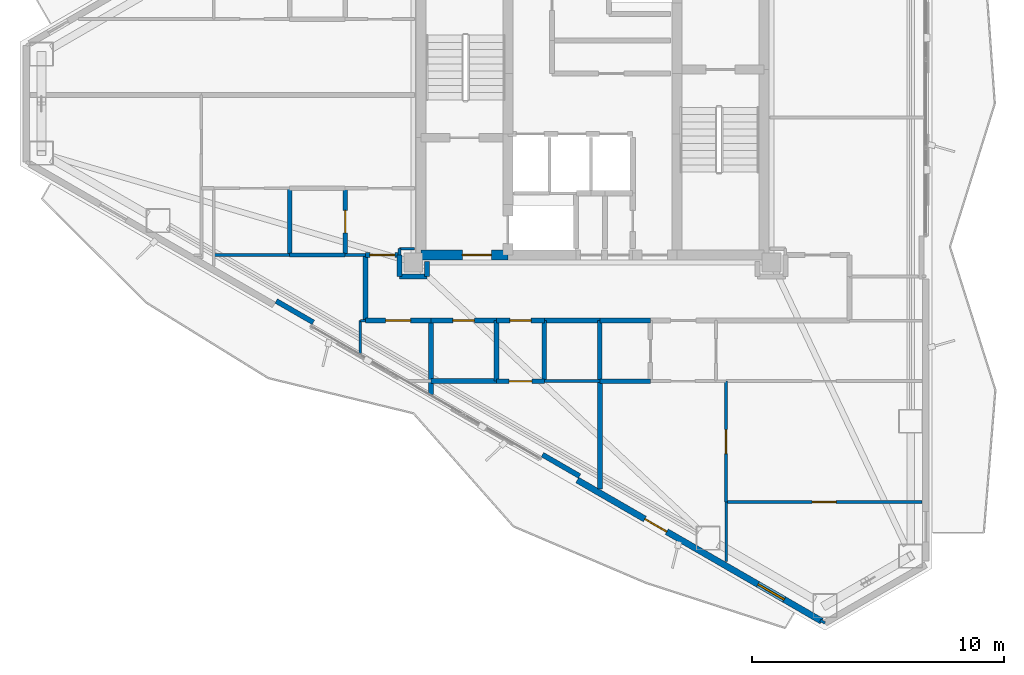
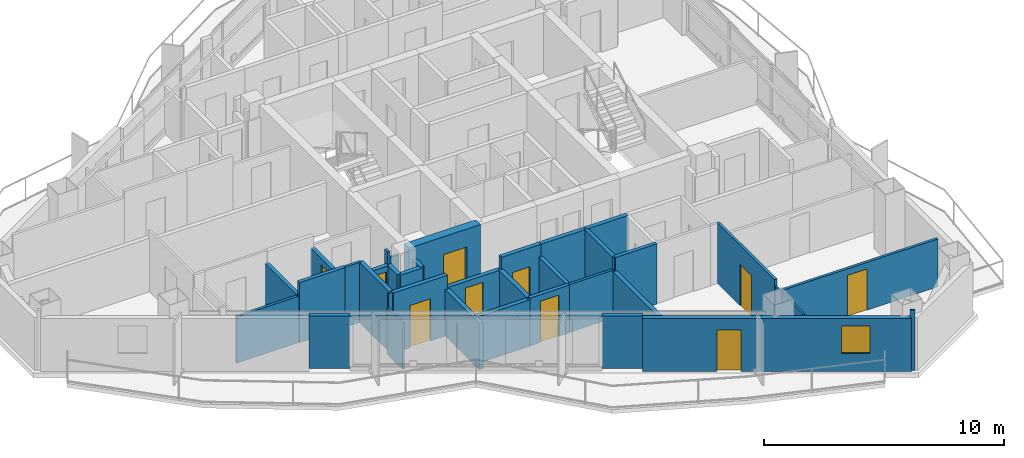
# One storey, part 12 of 19: 36 walls, 10 doors, 1 window, 11 openings.
"""IFC4 building model written with IfcOpenShell, lengths in metres."""

from ifc_helpers import new_model, si_unit, direction, frame, frame_2d, origin, place, context, subcontext, project, spatial, rectangle, extrude, material, layer, layer_set, type_object, element, fill, save


model = new_model("IFC4")

# Units and contexts
model_context = context("Model", 3, precision=1e-05, world=origin(), true_north=direction((0.0, 1.0)))
body_context = subcontext(model_context, "Body", "Model", "MODEL_VIEW")
ifc_project = project(units=[si_unit("LENGTHUNIT", "METRE"), si_unit("AREAUNIT", "SQUARE_METRE"), si_unit("VOLUMEUNIT", "CUBIC_METRE"), si_unit("PLANEANGLEUNIT", "RADIAN"), si_unit("MASSUNIT", "GRAM", prefix="KILO")], contexts=[model_context])

# Site, building, storey
site_placement = place(None, origin())
site = spatial("IfcSite", under=ifc_project, at=site_placement, CompositionType="ELEMENT")
building_placement = place(site_placement, origin())
building = spatial("IfcBuilding", under=site, at=building_placement, Name="Mersakhor Tower and Convention Hall", CompositionType="ELEMENT")
storey_placement = place(building_placement, frame((0.0, 0.0, 144.300048828125)))
storey = spatial("IfcBuildingStorey", under=building, at=storey_placement, Name="L40", CompositionType="ELEMENT", Elevation=144.300048828125)

# Wall, openings, door, window
ifc_material_1 = material(Name="Precast concrete C40/50", Category="concrete")
ifc_layer_1 = layer(ifc_material_1, 0.25)
ifc_layer_set_1 = layer_set([ifc_layer_1], Name="Precast concrete C40/50")
wall_type_1 = type_object("IfcWallType", Name="WL-EXT-250", PredefinedType="SOLIDWALL", material=ifc_layer_set_1)
wall_1_placement = place(storey_placement, frame((38.090576171875, 6.2373046875, 0.0), z_axis=(0.0, 0.0, 1.0), x_axis=(-0.86602239209, 0.500005216371, 0.0)))
wall_1 = element("IfcWall", 1, at=wall_1_placement, inside=storey, type_object=wall_type_1, Name="L40 Exterior Facade Wall F3-B1", PredefinedType="SOLIDWALL", context=body_context, shape_type="SweptSolid", body=[
    extrude(rectangle(XDim=11.18603515625, YDim=0.25, at=frame_2d((5.593017578125, 0.0))), origin(), (0.0, 0.0, 1.0), 2.679931640625),
])
opening_1_placement = place(wall_1_placement, frame((7.094970703125, 0.0, 0.0)))
opening_1 = element("IfcOpeningElement", 2, at=opening_1_placement, cuts=wall_1, Name="Opening BD-01", PredefinedType="OPENING", context=body_context, shape_type="SweptSolid", body=[
    extrude(rectangle(XDim=1.0, YDim=2.10009765625, at=frame_2d((0.5, 1.050048828125))), frame((0.0, 0.135009765625, 0.0), z_axis=(0.0, -1.0, 0.0), x_axis=(1.0, 0.0, 0.0)), (0.0, 0.0, 1.0), 0.27001953125),
])
opening_2_placement = place(wall_1_placement, frame((1.718017578125, 0.0, 0.89990234375)))
opening_2 = element("IfcOpeningElement", 3, at=opening_2_placement, cuts=wall_1, Name="Opening W-01", PredefinedType="OPENING", context=body_context, shape_type="SweptSolid", body=[
    extrude(rectangle(XDim=1.199951171875, YDim=1.39990234375, at=frame_2d((0.60009765625, 0.699951171875))), frame((0.0, 0.135009765625, 0.0), z_axis=(0.0, -1.0, 0.0), x_axis=(1.0, 0.0, 0.0)), (0.0, 0.0, 1.0), 0.27001953125),
])
ifc_material_2 = material(Name="Thermally broken dark aluminium and safety glass", Category="aluminium")
door_type_1 = type_object("IfcDoorType", Name="DR-BAL-100x210", OperationType="NOTDEFINED", PredefinedType="DOOR", material=ifc_material_2)
door_1_placement = place(opening_1_placement, origin())
door_1 = element("IfcDoor", 4, at=door_1_placement, inside=storey, type_object=door_type_1, Name="L40 Balcony Terrace Door F3-B1", OperationType="SINGLE_SWING_LEFT", OverallHeight=2.10009765625, OverallWidth=1.0, PredefinedType="DOOR", context=body_context, shape_type="SweptSolid", body=[
    extrude(rectangle(XDim=1.0, YDim=2.10009765625, at=frame_2d((0.5, 1.050048828125))), frame((0.0, 0.02490234375, 0.0), z_axis=(0.0, -1.0, 0.0), x_axis=(1.0, 0.0, 0.0)), (0.0, 0.0, 1.0), 0.050048828125),
])
fill(opening_1, door_1)
ifc_material_3 = material(Name="Dark solar low-E glazed aluminium window", Category="aluminium")
window_type = type_object("IfcWindowType", Name="WN-RES-120x150", PartitioningType="SINGLE_PANEL", PredefinedType="WINDOW", material=ifc_material_3)
window_placement = place(opening_2_placement, origin())
window = element("IfcWindow", 5, at=window_placement, inside=storey, type_object=window_type, Name="L40 Bedroom Facade Window F3-B1-1", OverallHeight=1.39990234375, OverallWidth=1.199951171875, PartitioningType="SINGLE_PANEL", PredefinedType="WINDOW", context=body_context, shape_type="SweptSolid", body=[
    extrude(rectangle(XDim=1.199951171875, YDim=1.39990234375, at=frame_2d((0.60009765625, 0.699951171875))), frame((0.0, 0.030029296875, 0.0), z_axis=(0.0, -1.0, 0.0), x_axis=(1.0, 0.0, 0.0)), (0.0, 0.0, 1.0), 0.06005859375),
])
fill(opening_2, window)

# Walls
ifc_material_4 = material(Name="Precast concrete C40/50", Category="concrete")
ifc_layer_2 = layer(ifc_material_4, 0.199951171875)
ifc_layer_set_2 = layer_set([ifc_layer_2], Name="Precast concrete C40/50")
wall_type_2 = type_object("IfcWallType", Name="WL-PAR-200", PredefinedType="PARAPET", material=ifc_layer_set_2)
for number, where, z_axis, x_axis, name in (
    (6, (28.4931640625, 11.986328125, 0.0), (0.0, 0.0, 1.0), (-0.86605165483, 0.499954529098, 0.0), "L40 Column Pier Cladding Wall F3-C1"),
    (7, (17.939697265625, 18.0791015625, 0.0), (0.0, 0.0, 1.0), (-0.865989465428, 0.500062241894, 0.0), "L40 Column Pier Cladding Wall F3-C2"),
):
    element("IfcWall", number, at=place(storey_placement, frame(where, z_axis=z_axis, x_axis=x_axis)), inside=storey, type_object=wall_type_2, Name=name, PredefinedType="PARAPET", context=body_context, shape_type="SweptSolid", body=[
        extrude(rectangle(XDim=1.699951171875, YDim=0.199951171875, at=frame_2d((0.85009765625, 0.0))), origin(), (0.0, 0.0, 1.0), 2.679931640625),
    ])

# Wall, opening, door
ifc_material_5 = material(Name="Moisture-resistant acoustic drywall studwork", Category="other")
ifc_layer_3 = layer(ifc_material_5, 0.175048828125)
ifc_layer_set_3 = layer_set([ifc_layer_3], Name="Moisture-resistant acoustic drywall studwork")
wall_type_3 = type_object("IfcWallType", Name="WL-PLM-175", PredefinedType="PLUMBINGWALL", material=ifc_layer_set_3)
wall_2_placement = place(storey_placement, frame((19.199951171875, 20.75, 0.0), z_axis=(0.0, 0.0, 1.0), x_axis=(0.0, 1.0, 0.0)))
wall_2 = element("IfcWall", 8, at=wall_2_placement, inside=storey, type_object=wall_type_3, Name="L40 Interior Partition Wall P-064", PredefinedType="PLUMBINGWALL", context=body_context, shape_type="SweptSolid", body=[
    extrude(rectangle(XDim=2.64990234375, YDim=0.175048828125, at=frame_2d((1.324951171875, 0.0))), origin(), (0.0, 0.0, 1.0), 2.432861328125),
])
opening_3_placement = place(wall_2_placement, frame((0.875, 0.0, 0.0)))
opening_3 = element("IfcOpeningElement", 9, at=opening_3_placement, cuts=wall_2, Name="Opening WD-01", PredefinedType="OPENING", context=body_context, shape_type="SweptSolid", body=[
    extrude(rectangle(XDim=0.89990234375, YDim=2.10009765625, at=frame_2d((0.449951171875, 1.050048828125))), frame((0.0, 0.097412109375, 0.0), z_axis=(0.0, -1.0, 0.0), x_axis=(1.0, 0.0, 0.0)), (0.0, 0.0, 1.0), 0.195068359375),
])
ifc_material_6 = material(Name="Solid-core hardwood leaf in painted steel frame", Category="steel")
door_type_2 = type_object("IfcDoorType", Name="DR-INT-WET-090x210", OperationType="NOTDEFINED", PredefinedType="DOOR", material=ifc_material_6)
door_2_placement = place(opening_3_placement, origin())
door_2 = element("IfcDoor", 10, at=door_2_placement, inside=storey, type_object=door_type_2, Name="L40 L40 Flat W6 Apartment Hall to L40 Flat W6 Bathroom Door", OperationType="SINGLE_SWING_RIGHT", OverallHeight=2.10009765625, OverallWidth=0.89990234375, PredefinedType="DOOR", context=body_context, shape_type="SweptSolid", body=[
    extrude(rectangle(XDim=0.89990234375, YDim=2.10009765625, at=frame_2d((0.449951171875, 1.050048828125))), frame((0.0, 0.02490234375, 0.0), z_axis=(0.0, -1.0, 0.0), x_axis=(1.0, 0.0, 0.0)), (0.0, 0.0, 1.0), 0.050048828125),
])
fill(opening_3, door_2)

wall_3_placement = place(storey_placement, frame((27.10009765625, 15.75, 0.0), z_axis=(0.0, 0.0, 1.0), x_axis=(-1.0, 0.0, 0.0)))
wall_3 = element("IfcWall", 11, at=wall_3_placement, inside=storey, type_object=wall_type_3, Name="L40 Interior Partition Wall P-077", PredefinedType="PLUMBINGWALL", context=body_context, shape_type="SweptSolid", body=[
    extrude(rectangle(XDim=1.900146484375, YDim=0.175048828125, at=frame_2d((0.9501953125, 0.0))), origin(), (0.0, 0.0, 1.0), 2.432861328125),
])
opening_4_placement = place(wall_3_placement, frame((0.5, 0.0, 0.0)))
opening_4 = element("IfcOpeningElement", 12, at=opening_4_placement, cuts=wall_3, Name="Opening WD-01", PredefinedType="OPENING", context=body_context, shape_type="SweptSolid", body=[
    extrude(rectangle(XDim=0.89990234375, YDim=2.10009765625, at=frame_2d((0.449951171875, 1.050048828125))), frame((0.0, 0.097412109375, 0.0), z_axis=(0.0, -1.0, 0.0), x_axis=(1.0, 0.0, 0.0)), (0.0, 0.0, 1.0), 0.195068359375),
])
door_3_placement = place(opening_4_placement, origin())
door_3 = element("IfcDoor", 13, at=door_3_placement, inside=storey, type_object=door_type_2, Name="L40 L40 Floor Shared Restroom WC 3-2 to L40 Floor Residents Study Room 3-4 Door", OperationType="SINGLE_SWING_LEFT", OverallHeight=2.10009765625, OverallWidth=0.89990234375, PredefinedType="DOOR", context=body_context, shape_type="SweptSolid", body=[
    extrude(rectangle(XDim=0.89990234375, YDim=2.10009765625, at=frame_2d((0.449951171875, 1.050048828125))), frame((0.0, 0.02490234375, 0.0), z_axis=(0.0, -1.0, 0.0), x_axis=(1.0, 0.0, 0.0)), (0.0, 0.0, 1.0), 0.050048828125),
])
fill(opening_4, door_3)

# Walls
wall_4_placement = place(storey_placement, frame((27.10009765625, 18.14990234375, 0.0), z_axis=(0.0, 0.0, 1.0), x_axis=(0.0, -1.0, 0.0)))
element("IfcWall", 14, at=wall_4_placement, inside=storey, type_object=wall_type_3, Name="L40 Interior Partition Wall P-079", PredefinedType="PLUMBINGWALL", context=body_context, shape_type="SweptSolid", body=[
    extrude(rectangle(XDim=2.39990234375, YDim=0.175048828125, at=frame_2d((1.199951171875, 0.0))), origin(), (0.0, 0.0, 1.0), 2.432861328125),
])
wall_5_placement = place(storey_placement, frame((31.300048828125, 15.75, 0.0), z_axis=(0.0, 0.0, 1.0), x_axis=(-1.0, 0.0, 0.0)))
element("IfcWall", 15, at=wall_5_placement, inside=storey, type_object=wall_type_3, Name="L40 Interior Partition Wall P-080", PredefinedType="PLUMBINGWALL", context=body_context, shape_type="SweptSolid", body=[
    extrude(rectangle(XDim=2.0, YDim=0.175048828125, at=frame_2d((1.0, 0.0))), origin(), (0.0, 0.0, 1.0), 3.06005859375),
])
wall_6_placement = place(storey_placement, frame((29.300048828125, 15.75, 0.0), z_axis=(0.0, 0.0, 1.0), x_axis=(0.0, 1.0, 0.0)))
element("IfcWall", 16, at=wall_6_placement, inside=storey, type_object=wall_type_3, Name="L40 Interior Partition Wall P-081", PredefinedType="PLUMBINGWALL", context=body_context, shape_type="SweptSolid", body=[
    extrude(rectangle(XDim=2.39990234375, YDim=0.175048828125, at=frame_2d((1.199951171875, 0.0))), origin(), (0.0, 0.0, 1.0), 3.06005859375),
])
wall_7_placement = place(storey_placement, frame((19.199951171875, 20.75, 0.0), z_axis=(0.0, 0.0, 1.0), x_axis=(-1.0, 0.0, 0.0)))
element("IfcWall", 17, at=wall_7_placement, inside=storey, type_object=wall_type_3, Name="L40 Interior Partition Wall P-092", PredefinedType="PLUMBINGWALL", context=body_context, shape_type="SweptSolid", body=[
    extrude(rectangle(XDim=2.199951171875, YDim=0.175048828125, at=frame_2d((1.10009765625, 0.0))), origin(), (0.0, 0.0, 1.0), 3.06005859375),
])
wall_8_placement = place(storey_placement, frame((17.0, 20.75, 0.0), z_axis=(0.0, 0.0, 1.0), x_axis=(0.0, 1.0, 0.0)))
element("IfcWall", 18, at=wall_8_placement, inside=storey, type_object=wall_type_3, Name="L40 Interior Partition Wall P-093", PredefinedType="PLUMBINGWALL", context=body_context, shape_type="SweptSolid", body=[
    extrude(rectangle(XDim=2.64990234375, YDim=0.175048828125, at=frame_2d((1.324951171875, 0.0))), origin(), (0.0, 0.0, 1.0), 2.432861328125),
])
ifc_material_7 = material(Name="Lightweight gypsum partition", Category="other")
ifc_layer_4 = layer(ifc_material_7, 0.10009765625)
ifc_layer_set_4 = layer_set([ifc_layer_4], Name="Lightweight gypsum partition")
wall_type_4 = type_object("IfcWallType", Name="WL-PRT-100", PredefinedType="PARTITIONING", material=ifc_layer_set_4)
wall_9_placement = place(storey_placement, frame((21.949951171875, 21.0, 0.0), z_axis=(0.0, 0.0, 1.0), x_axis=(-1.0, 0.0, 0.0)))
element("IfcWall", 19, at=wall_9_placement, inside=storey, type_object=wall_type_4, Name="L40 Interior Partition Wall P-066", PredefinedType="PARTITIONING", context=body_context, shape_type="SweptSolid", body=[
    extrude(rectangle(XDim=0.599853515625, YDim=0.10009765625, at=frame_2d((0.2998046875, 0.0))), origin(), (0.0, 0.0, 1.0), 2.5849609375),
])
wall_10_placement = place(storey_placement, frame((19.800048828125, 18.14990234375, 0.0), z_axis=(0.0, 0.0, 1.0), x_axis=(1.0, 0.0, 0.0)))
element("IfcWall", 20, at=wall_10_placement, inside=storey, type_object=wall_type_4, Name="L40 Interior Partition Wall P-122", PredefinedType="PARTITIONING", context=body_context, shape_type="SweptSolid", body=[
    extrude(rectangle(XDim=0.199951171875, YDim=0.10009765625, at=frame_2d((0.10009765625, 0.0))), origin(), (0.0, 0.0, 1.0), 3.06005859375),
])
wall_11_placement = place(storey_placement, frame((19.800048828125, 16.84130859375, 0.0), z_axis=(0.0, 0.0, 1.0), x_axis=(0.0, 1.0, 0.0)))
element("IfcWall", 21, at=wall_11_placement, inside=storey, type_object=wall_type_4, Name="L40 Interior Partition Wall P-124", PredefinedType="PARTITIONING", context=body_context, shape_type="SweptSolid", body=[
    extrude(rectangle(XDim=1.30859375, YDim=0.10009765625, at=frame_2d((0.654296875, 0.0))), origin(), (0.0, 0.0, 1.0), 2.364990234375),
])
wall_12_placement = place(storey_placement, frame((34.300048828125, 10.9599609375, 0.0), z_axis=(0.0, 0.0, 1.0), x_axis=(0.0, -1.0, 0.0)))
element("IfcWall", 22, at=wall_12_placement, inside=storey, type_object=wall_type_4, Name="L40 Interior Partition Wall P-128", PredefinedType="PARTITIONING", context=body_context, shape_type="SweptSolid", body=[
    extrude(rectangle(XDim=2.362060546875, YDim=0.10009765625, at=frame_2d((1.18115234375, 0.0))), origin(), (0.0, 0.0, 1.0), 2.724365234375),
])
wall_13_placement = place(storey_placement, frame((38.220703125, 6.162109375, 0.0), z_axis=(0.0, 0.0, 1.0), x_axis=(-0.865581379588, 0.500768285049, 0.0)))
element("IfcWall", 23, at=wall_13_placement, inside=storey, type_object=wall_type_4, Name="L40 Interior Partition Wall P-130", PredefinedType="PARTITIONING", context=body_context, shape_type="SweptSolid", body=[
    extrude(rectangle(XDim=0.215576171875, YDim=0.10009765625, at=frame_2d((0.10791015625, 0.0))), origin(), (0.0, 0.0, 1.0), 3.06005859375),
])
ifc_material_8 = material(Name="Gypsum board acoustic partition", Category="other")
ifc_layer_5 = layer(ifc_material_8, 0.125)
ifc_layer_set_5 = layer_set([ifc_layer_5], Name="Gypsum board acoustic partition")
wall_type_5 = type_object("IfcWallType", Name="WL-PRT-125", PredefinedType="PARTITIONING", material=ifc_layer_set_5)
wall_14_placement = place(storey_placement, frame((20.0, 20.75, 0.0), z_axis=(0.0, 0.0, 1.0), x_axis=(-1.0, 0.0, 0.0)))
element("IfcWall", 24, at=wall_14_placement, inside=storey, type_object=wall_type_5, Name="L40 Interior Partition Wall P-063", PredefinedType="PARTITIONING", context=body_context, shape_type="SweptSolid", body=[
    extrude(rectangle(XDim=0.800048828125, YDim=0.125, at=frame_2d((0.39990234375, 0.0))), origin(), (0.0, 0.0, 1.0), 3.06005859375),
])
wall_15_placement = place(storey_placement, frame((21.35009765625, 21.0, 0.0), z_axis=(0.0, 0.0, 1.0), x_axis=(0.0, -1.0, 0.0)))
element("IfcWall", 25, at=wall_15_placement, inside=storey, type_object=wall_type_5, Name="L40 Interior Partition Wall P-067", PredefinedType="PARTITIONING", context=body_context, shape_type="SweptSolid", body=[
    extrude(rectangle(XDim=0.25, YDim=0.125, at=frame_2d((0.125, 0.0))), origin(), (0.0, 0.0, 1.0), 3.06005859375),
])
wall_16_placement = place(storey_placement, frame((17.0, 20.75, 0.0), z_axis=(0.0, 0.0, 1.0), x_axis=(-1.0, 0.0, 0.0)))
element("IfcWall", 26, at=wall_16_placement, inside=storey, type_object=wall_type_5, Name="L40 Interior Partition Wall P-095", PredefinedType="PARTITIONING", context=body_context, shape_type="SweptSolid", body=[
    extrude(rectangle(XDim=3.0, YDim=0.125, at=frame_2d((1.5, 0.0))), origin(), (0.0, 0.0, 1.0), 2.364990234375),
])
wall_17_placement = place(storey_placement, frame((27.10009765625, 15.75, 0.0), z_axis=(0.0, 0.0, 1.0), x_axis=(1.0, 0.0, 0.0)))
element("IfcWall", 27, at=wall_17_placement, inside=storey, type_object=wall_type_5, Name="L40 Interior Partition Wall P-125", PredefinedType="PARTITIONING", context=body_context, shape_type="SweptSolid", body=[
    extrude(rectangle(XDim=2.199951171875, YDim=0.125, at=frame_2d((1.10009765625, 0.0))), origin(), (0.0, 0.0, 1.0), 2.432861328125),
])

# Wall, opening, door
wall_18_placement = place(storey_placement, frame((34.300048828125, 15.75, 0.0), z_axis=(0.0, 0.0, 1.0), x_axis=(0.0, -1.0, 0.0)))
wall_18 = element("IfcWall", 28, at=wall_18_placement, inside=storey, type_object=wall_type_5, Name="L40 Interior Partition Wall P-127", PredefinedType="PARTITIONING", context=body_context, shape_type="SweptSolid", body=[
    extrude(rectangle(XDim=4.7900390625, YDim=0.125, at=frame_2d((2.39501953125, 0.0))), origin(), (0.0, 0.0, 1.0), 3.06005859375),
])
opening_5_placement = place(wall_18_placement, frame((1.919921875, 0.0, 0.0)))
opening_5 = element("IfcOpeningElement", 29, at=opening_5_placement, cuts=wall_18, Name="Opening RD-01", PredefinedType="OPENING", context=body_context, shape_type="SweptSolid", body=[
    extrude(rectangle(XDim=0.949951171875, YDim=2.10009765625, at=frame_2d((0.47509765625, 1.050048828125))), frame((0.0, 0.072509765625, 0.0), z_axis=(0.0, -1.0, 0.0), x_axis=(1.0, 0.0, 0.0)), (0.0, 0.0, 1.0), 0.14501953125),
])
ifc_material_9 = material(Name="Solid-core hardwood leaf in painted steel frame", Category="steel")
door_type_3 = type_object("IfcDoorType", Name="DR-INT-RM-095x210", OperationType="NOTDEFINED", PredefinedType="DOOR", material=ifc_material_9)
door_4_placement = place(opening_5_placement, origin())
door_4 = element("IfcDoor", 30, at=door_4_placement, inside=storey, type_object=door_type_3, Name="L40 L40 Flat S4 Living and Dining Room to L40 Flat S4 Dining Room Door", OperationType="SINGLE_SWING_RIGHT", OverallHeight=2.10009765625, OverallWidth=0.949951171875, PredefinedType="DOOR", context=body_context, shape_type="SweptSolid", body=[
    extrude(rectangle(XDim=0.949951171875, YDim=2.10009765625, at=frame_2d((0.47509765625, 1.050048828125))), frame((0.0, 0.02490234375, 0.0), z_axis=(0.0, -1.0, 0.0), x_axis=(1.0, 0.0, 0.0)), (0.0, 0.0, 1.0), 0.050048828125),
])
fill(opening_5, door_4)

wall_19_placement = place(storey_placement, frame((34.300048828125, 10.9599609375, 0.0), z_axis=(0.0, 0.0, 1.0), x_axis=(1.0, 0.0, 0.0)))
wall_19 = element("IfcWall", 31, at=wall_19_placement, inside=storey, type_object=wall_type_5, Name="L40 Interior Partition Wall P-129", PredefinedType="PARTITIONING", context=body_context, shape_type="SweptSolid", body=[
    extrude(rectangle(XDim=7.770263671875, YDim=0.125, at=frame_2d((3.88525390625, 0.0))), origin(), (0.0, 0.0, 1.0), 2.432861328125),
])
opening_6_placement = place(wall_19_placement, frame((3.41015625, 0.0, 0.0)))
opening_6 = element("IfcOpeningElement", 32, at=opening_6_placement, cuts=wall_19, Name="Opening RD-01", PredefinedType="OPENING", context=body_context, shape_type="SweptSolid", body=[
    extrude(rectangle(XDim=0.949951171875, YDim=2.10009765625, at=frame_2d((0.47509765625, 1.050048828125))), frame((0.0, 0.072509765625, 0.0), z_axis=(0.0, -1.0, 0.0), x_axis=(1.0, 0.0, 0.0)), (0.0, 0.0, 1.0), 0.14501953125),
])
door_5_placement = place(opening_6_placement, origin())
door_5 = element("IfcDoor", 33, at=door_5_placement, inside=storey, type_object=door_type_3, Name="L40 L40 Flat S4 Bedroom 1 to L40 Flat S4 Dining Room Door", OperationType="SINGLE_SWING_LEFT", OverallHeight=2.10009765625, OverallWidth=0.949951171875, PredefinedType="DOOR", context=body_context, shape_type="SweptSolid", body=[
    extrude(rectangle(XDim=0.949951171875, YDim=2.10009765625, at=frame_2d((0.47509765625, 1.050048828125))), frame((0.0, 0.02490234375, 0.0), z_axis=(0.0, -1.0, 0.0), x_axis=(1.0, 0.0, 0.0)), (0.0, 0.0, 1.0), 0.050048828125),
])
fill(opening_6, door_5)

# Walls
ifc_material_10 = material(Name="Acoustic concrete blockwork and gypsum board", Category="masonry")
ifc_layer_6 = layer(ifc_material_10, 0.199951171875)
ifc_layer_set_6 = layer_set([ifc_layer_6], Name="Acoustic concrete blockwork and gypsum board")
wall_type_6 = type_object("IfcWallType", Name="WL-PRT-200", PredefinedType="PARTITIONING", material=ifc_layer_set_6)
wall_20_placement = place(storey_placement, frame((22.449951171875, 19.89990234375, 0.0), z_axis=(0.0, 0.0, 1.0), x_axis=(0.0, 1.0, 0.0)))
element("IfcWall", 34, at=wall_20_placement, inside=storey, type_object=wall_type_6, Name="L40 Interior Partition Wall P-034", PredefinedType="PARTITIONING", context=body_context, shape_type="SweptSolid", body=[
    extrude(rectangle(XDim=0.60009765625, YDim=0.199951171875, at=frame_2d((0.300048828125, 0.0))), origin(), (0.0, 0.0, 1.0), 2.432861328125),
])
wall_21_placement = place(storey_placement, frame((31.300048828125, 18.14990234375, 0.0), z_axis=(0.0, 0.0, 1.0), x_axis=(-1.0, 0.0, 0.0)))
element("IfcWall", 35, at=wall_21_placement, inside=storey, type_object=wall_type_6, Name="L40 Interior Partition Wall P-043", PredefinedType="PARTITIONING", context=body_context, shape_type="SweptSolid", body=[
    extrude(rectangle(XDim=2.0, YDim=0.199951171875, at=frame_2d((1.0, 0.0))), origin(), (0.0, 0.0, 1.0), 3.06005859375),
])
wall_22_placement = place(storey_placement, frame((29.300048828125, 18.14990234375, 0.0), z_axis=(0.0, 0.0, 1.0), x_axis=(-1.0, 0.0, 0.0)))
element("IfcWall", 36, at=wall_22_placement, inside=storey, type_object=wall_type_6, Name="L40 Interior Partition Wall P-044", PredefinedType="PARTITIONING", context=body_context, shape_type="SweptSolid", body=[
    extrude(rectangle(XDim=2.199951171875, YDim=0.199951171875, at=frame_2d((1.10009765625, 0.0))), origin(), (0.0, 0.0, 1.0), 3.06005859375),
])

# Wall, opening, door
wall_23_placement = place(storey_placement, frame((27.10009765625, 18.14990234375, 0.0), z_axis=(0.0, 0.0, 1.0), x_axis=(-1.0, 0.0, 0.0)))
wall_23 = element("IfcWall", 37, at=wall_23_placement, inside=storey, type_object=wall_type_6, Name="L40 Interior Partition Wall P-045", PredefinedType="PARTITIONING", context=body_context, shape_type="SweptSolid", body=[
    extrude(rectangle(XDim=1.900146484375, YDim=0.199951171875, at=frame_2d((0.9501953125, 0.0))), origin(), (0.0, 0.0, 1.0), 3.06005859375),
])
opening_7_placement = place(wall_23_placement, frame((0.52490234375, 0.0, 0.0)))
opening_7 = element("IfcOpeningElement", 38, at=opening_7_placement, cuts=wall_23, Name="Opening SVD-01", PredefinedType="OPENING", context=body_context, shape_type="SweptSolid", body=[
    extrude(rectangle(XDim=0.85009765625, YDim=2.10009765625, at=frame_2d((0.425048828125, 1.050048828125))), frame((0.0, 0.10986328125, 0.0), z_axis=(0.0, -1.0, 0.0), x_axis=(1.0, 0.0, 0.0)), (0.0, 0.0, 1.0), 0.219970703125),
])
ifc_material_11 = material(Name="Fire-rated hardwood leaf and painted steel frame", Category="steel")
door_type_4 = type_object("IfcDoorType", Name="DR-INT-SVC-085x210", OperationType="NOTDEFINED", PredefinedType="DOOR", material=ifc_material_11)
door_6_placement = place(opening_7_placement, origin())
door_6 = element("IfcDoor", 39, at=door_6_placement, inside=storey, type_object=door_type_4, Name="L40 Residential South Gallery Corridor to L40 Floor Shared Restroom WC 3-2 Door", OperationType="SINGLE_SWING_RIGHT", OverallHeight=2.10009765625, OverallWidth=0.85009765625, PredefinedType="DOOR", context=body_context, shape_type="SweptSolid", body=[
    extrude(rectangle(XDim=0.85009765625, YDim=2.10009765625, at=frame_2d((0.425048828125, 1.050048828125))), frame((0.0, 0.02490234375, 0.0), z_axis=(0.0, -1.0, 0.0), x_axis=(1.0, 0.0, 0.0)), (0.0, 0.0, 1.0), 0.050048828125),
])
fill(opening_7, door_6)

wall_24_placement = place(storey_placement, frame((25.199951171875, 18.14990234375, 0.0), z_axis=(0.0, 0.0, 1.0), x_axis=(-1.0, 0.0, 0.0)))
wall_24 = element("IfcWall", 40, at=wall_24_placement, inside=storey, type_object=wall_type_6, Name="L40 Interior Partition Wall P-046", PredefinedType="PARTITIONING", context=body_context, shape_type="SweptSolid", body=[
    extrude(rectangle(XDim=2.599853515625, YDim=0.199951171875, at=frame_2d((1.2998046875, 0.0))), origin(), (0.0, 0.0, 1.0), 2.432861328125),
])
opening_8_placement = place(wall_24_placement, frame((0.875, 0.0, 0.0)))
opening_8 = element("IfcOpeningElement", 41, at=opening_8_placement, cuts=wall_24, Name="Opening SVD-01", PredefinedType="OPENING", context=body_context, shape_type="SweptSolid", body=[
    extrude(rectangle(XDim=0.85009765625, YDim=2.10009765625, at=frame_2d((0.425048828125, 1.050048828125))), frame((0.0, 0.10986328125, 0.0), z_axis=(0.0, -1.0, 0.0), x_axis=(1.0, 0.0, 0.0)), (0.0, 0.0, 1.0), 0.219970703125),
])
door_7_placement = place(opening_8_placement, origin())
door_7 = element("IfcDoor", 42, at=door_7_placement, inside=storey, type_object=door_type_4, Name="L40 Residential South Gallery Corridor to L40 Floor Household Store Room 3-1 Door", OperationType="SINGLE_SWING_RIGHT", OverallHeight=2.10009765625, OverallWidth=0.85009765625, PredefinedType="DOOR", context=body_context, shape_type="SweptSolid", body=[
    extrude(rectangle(XDim=0.85009765625, YDim=2.10009765625, at=frame_2d((0.425048828125, 1.050048828125))), frame((0.0, 0.02490234375, 0.0), z_axis=(0.0, -1.0, 0.0), x_axis=(1.0, 0.0, 0.0)), (0.0, 0.0, 1.0), 0.050048828125),
])
fill(opening_8, door_7)

wall_25_placement = place(storey_placement, frame((22.60009765625, 18.14990234375, 0.0), z_axis=(0.0, 0.0, 1.0), x_axis=(-1.0, 0.0, 0.0)))
wall_25 = element("IfcWall", 43, at=wall_25_placement, inside=storey, type_object=wall_type_6, Name="L40 Interior Partition Wall P-047", PredefinedType="PARTITIONING", context=body_context, shape_type="SweptSolid", body=[
    extrude(rectangle(XDim=2.60009765625, YDim=0.199951171875, at=frame_2d((1.300048828125, 0.0))), origin(), (0.0, 0.0, 1.0), 3.06005859375),
])
opening_9_placement = place(wall_25_placement, frame((0.800048828125, 0.0, 0.0)))
opening_9 = element("IfcOpeningElement", 44, at=opening_9_placement, cuts=wall_25, Name="Opening FD-01", PredefinedType="OPENING", context=body_context, shape_type="SweptSolid", body=[
    extrude(rectangle(XDim=1.0, YDim=2.14990234375, at=frame_2d((0.5, 1.074951171875))), frame((0.0, 0.10986328125, 0.0), z_axis=(0.0, -1.0, 0.0), x_axis=(1.0, 0.0, 0.0)), (0.0, 0.0, 1.0), 0.219970703125),
])
ifc_material_12 = material(Name="Fire-rated hardwood leaf and painted steel frame", Category="steel")
door_type_5 = type_object("IfcDoorType", Name="DR-INT-FLT-100x215", OperationType="NOTDEFINED", PredefinedType="DOOR", material=ifc_material_12)
door_8_placement = place(opening_9_placement, origin())
door_8 = element("IfcDoor", 45, at=door_8_placement, inside=storey, type_object=door_type_5, Name="L40 Residential South Gallery Corridor to L40 Floor Shared Tea Pantry 3-3 Door", OperationType="SINGLE_SWING_LEFT", OverallHeight=2.14990234375, OverallWidth=1.0, PredefinedType="DOOR", context=body_context, shape_type="SweptSolid", body=[
    extrude(rectangle(XDim=1.0, YDim=2.14990234375, at=frame_2d((0.5, 1.074951171875))), frame((0.0, 0.02490234375, 0.0), z_axis=(0.0, -1.0, 0.0), x_axis=(1.0, 0.0, 0.0)), (0.0, 0.0, 1.0), 0.050048828125),
])
fill(opening_9, door_8)

# Wall
wall_26_placement = place(storey_placement, frame((20.0, 18.14990234375, 0.0), z_axis=(0.0, 0.0, 1.0), x_axis=(0.0, 1.0, 0.0)))
element("IfcWall", 46, at=wall_26_placement, inside=storey, type_object=wall_type_6, Name="L40 Interior Partition Wall P-048", PredefinedType="PARTITIONING", context=body_context, shape_type="SweptSolid", body=[
    extrude(rectangle(XDim=2.60009765625, YDim=0.199951171875, at=frame_2d((1.300048828125, 0.0))), origin(), (0.0, 0.0, 1.0), 3.06005859375),
])

# Wall, opening, door
wall_27_placement = place(storey_placement, frame((20.0, 20.75, 0.0), z_axis=(0.0, 0.0, 1.0), x_axis=(1.0, 0.0, 0.0)))
wall_27 = element("IfcWall", 47, at=wall_27_placement, inside=storey, type_object=wall_type_6, Name="L40 Interior Partition Wall P-049", PredefinedType="PARTITIONING", context=body_context, shape_type="SweptSolid", body=[
    extrude(rectangle(XDim=1.35009765625, YDim=0.199951171875, at=frame_2d((0.675048828125, 0.0))), origin(), (0.0, 0.0, 1.0), 2.432861328125),
])
opening_10_placement = place(wall_27_placement, frame((0.175048828125, 0.0, 0.0)))
opening_10 = element("IfcOpeningElement", 48, at=opening_10_placement, cuts=wall_27, Name="Opening FD-01", PredefinedType="OPENING", context=body_context, shape_type="SweptSolid", body=[
    extrude(rectangle(XDim=1.0, YDim=2.14990234375, at=frame_2d((0.5, 1.074951171875))), frame((0.0, 0.10986328125, 0.0), z_axis=(0.0, -1.0, 0.0), x_axis=(1.0, 0.0, 0.0)), (0.0, 0.0, 1.0), 0.219970703125),
])
door_9_placement = place(opening_10_placement, origin())
door_9 = element("IfcDoor", 49, at=door_9_placement, inside=storey, type_object=door_type_5, Name="L40 Apartment Entrance Door (Residential South Gallery Corridor to L40 Flat W6 Apartment Hall)", OperationType="SINGLE_SWING_LEFT", OverallHeight=2.14990234375, OverallWidth=1.0, PredefinedType="DOOR", context=body_context, shape_type="SweptSolid", body=[
    extrude(rectangle(XDim=1.0, YDim=2.14990234375, at=frame_2d((0.5, 1.074951171875))), frame((0.0, 0.02490234375, 0.0), z_axis=(0.0, -1.0, 0.0), x_axis=(1.0, 0.0, 0.0)), (0.0, 0.0, 1.0), 0.050048828125),
])
fill(opening_10, door_9)

# Walls
wall_28_placement = place(storey_placement, frame((21.35009765625, 20.75, 0.0), z_axis=(0.0, 0.0, 1.0), x_axis=(0.0, -1.0, 0.0)))
element("IfcWall", 50, at=wall_28_placement, inside=storey, type_object=wall_type_6, Name="L40 Interior Partition Wall P-050", PredefinedType="PARTITIONING", context=body_context, shape_type="SweptSolid", body=[
    extrude(rectangle(XDim=0.85009765625, YDim=0.199951171875, at=frame_2d((0.425048828125, 0.0))), origin(), (0.0, 0.0, 1.0), 2.432861328125),
])
wall_29_placement = place(storey_placement, frame((21.35009765625, 19.89990234375, 0.0), z_axis=(0.0, 0.0, 1.0), x_axis=(1.0, 0.0, 0.0)))
element("IfcWall", 51, at=wall_29_placement, inside=storey, type_object=wall_type_6, Name="L40 Interior Partition Wall P-051", PredefinedType="PARTITIONING", context=body_context, shape_type="SweptSolid", body=[
    extrude(rectangle(XDim=1.099853515625, YDim=0.199951171875, at=frame_2d((0.5498046875, 0.0))), origin(), (0.0, 0.0, 1.0), 2.432861328125),
])
wall_30_placement = place(storey_placement, frame((25.199951171875, 15.75, 0.0), z_axis=(0.0, 0.0, 1.0), x_axis=(0.0, 1.0, 0.0)))
element("IfcWall", 52, at=wall_30_placement, inside=storey, type_object=wall_type_6, Name="L40 Interior Partition Wall P-078", PredefinedType="PARTITIONING", context=body_context, shape_type="SweptSolid", body=[
    extrude(rectangle(XDim=2.39990234375, YDim=0.199951171875, at=frame_2d((1.199951171875, 0.0))), origin(), (0.0, 0.0, 1.0), 2.432861328125),
])
wall_31_placement = place(storey_placement, frame((25.199951171875, 15.75, 0.0), z_axis=(0.0, 0.0, 1.0), x_axis=(-1.0, 0.0, 0.0)))
element("IfcWall", 53, at=wall_31_placement, inside=storey, type_object=wall_type_6, Name="L40 Interior Partition Wall P-120", PredefinedType="PARTITIONING", context=body_context, shape_type="SweptSolid", body=[
    extrude(rectangle(XDim=2.599853515625, YDim=0.199951171875, at=frame_2d((1.2998046875, 0.0))), origin(), (0.0, 0.0, 1.0), 2.364990234375),
])
wall_32_placement = place(storey_placement, frame((22.60009765625, 15.224609375, 0.0), z_axis=(0.0, 0.0, 1.0), x_axis=(0.0, 1.0, 0.0)))
element("IfcWall", 54, at=wall_32_placement, inside=storey, type_object=wall_type_6, Name="L40 Interior Partition Wall P-121", PredefinedType="PARTITIONING", context=body_context, shape_type="SweptSolid", body=[
    extrude(rectangle(XDim=2.92529296875, YDim=0.199951171875, at=frame_2d((1.462646484375, 0.0))), origin(), (0.0, 0.0, 1.0), 2.364990234375),
])
wall_33_placement = place(storey_placement, frame((29.300048828125, 15.75, 0.0), z_axis=(0.0, 0.0, 1.0), x_axis=(0.0, -1.0, 0.0)))
element("IfcWall", 55, at=wall_33_placement, inside=storey, type_object=wall_type_6, Name="L40 Interior Partition Wall P-126", PredefinedType="PARTITIONING", context=body_context, shape_type="SweptSolid", body=[
    extrude(rectangle(XDim=4.265380859375, YDim=0.199951171875, at=frame_2d((2.1328125, 0.0))), origin(), (0.0, 0.0, 1.0), 2.364990234375),
])

# Wall, opening, door
ifc_material_13 = material(Name="Concrete C60/75", Category="concrete")
ifc_layer_7 = layer(ifc_material_13, 0.39990234375)
ifc_layer_set_7 = layer_set([ifc_layer_7], Name="Concrete C60/75")
wall_type_7 = type_object("IfcWallType", Name="WL-SHR-400", PredefinedType="SHEAR", material=ifc_layer_set_7)
wall_34_placement = place(storey_placement, frame((25.64990234375, 20.75, 0.0), z_axis=(0.0, 0.0, 1.0), x_axis=(-1.0, 0.0, 0.0)))
wall_34 = element("IfcWall", 56, at=wall_34_placement, inside=storey, type_object=wall_type_7, Name="L40 Core Wall CW-S4", PredefinedType="SHEAR", context=body_context, shape_type="SweptSolid", body=[
    extrude(rectangle(XDim=3.449951171875, YDim=0.39990234375, at=frame_2d((1.72509765625, 0.0))), origin(), (0.0, 0.0, 1.0), 3.06005859375),
])
opening_11_placement = place(wall_34_placement, frame((0.64990234375, 0.0, 0.0)))
opening_11 = element("IfcOpeningElement", 57, at=opening_11_placement, cuts=wall_34, Name="Opening SD-01", PredefinedType="OPENING", context=body_context, shape_type="SweptSolid", body=[
    extrude(rectangle(XDim=1.14990234375, YDim=2.14990234375, at=frame_2d((0.574951171875, 1.074951171875))), frame((0.0, 0.2099609375, 0.0), z_axis=(0.0, -1.0, 0.0), x_axis=(1.0, 0.0, 0.0)), (0.0, 0.0, 1.0), 0.419921875),
])
ifc_material_14 = material(Name="Fire-rated hardwood leaf and painted steel frame", Category="steel")
door_type_6 = type_object("IfcDoorType", Name="DR-INT-STAIR-115x215", OperationType="NOTDEFINED", PredefinedType="DOOR", material=ifc_material_14)
door_10_placement = place(opening_11_placement, origin())
door_10 = element("IfcDoor", 58, at=door_10_placement, inside=storey, type_object=door_type_6, Name="L40 Firefighting Lobby West Fire Door", OperationType="SINGLE_SWING_LEFT", OverallHeight=2.14990234375, OverallWidth=1.14990234375, PredefinedType="DOOR", context=body_context, shape_type="SweptSolid", body=[
    extrude(rectangle(XDim=1.14990234375, YDim=2.14990234375, at=frame_2d((0.574951171875, 1.074951171875))), frame((0.0, 0.02490234375, 0.0), z_axis=(0.0, -1.0, 0.0), x_axis=(1.0, 0.0, 0.0)), (0.0, 0.0, 1.0), 0.050048828125),
])
fill(opening_11, door_10)

save(model, "model.ifc")
